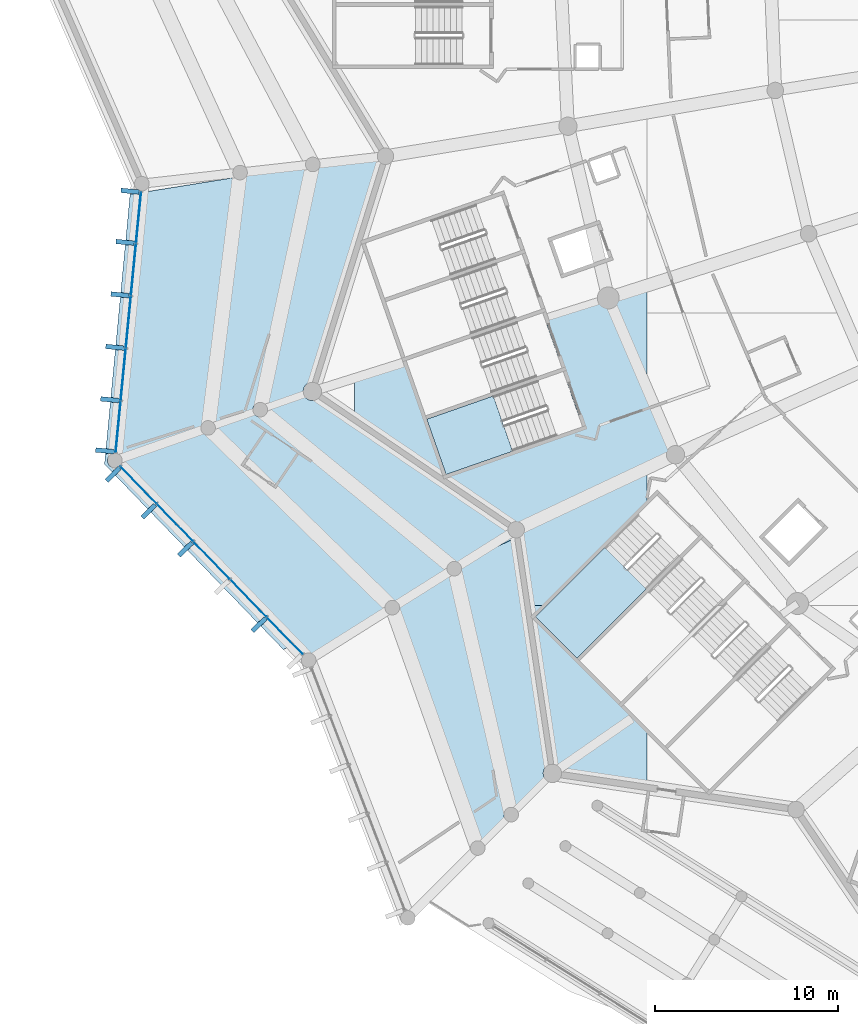
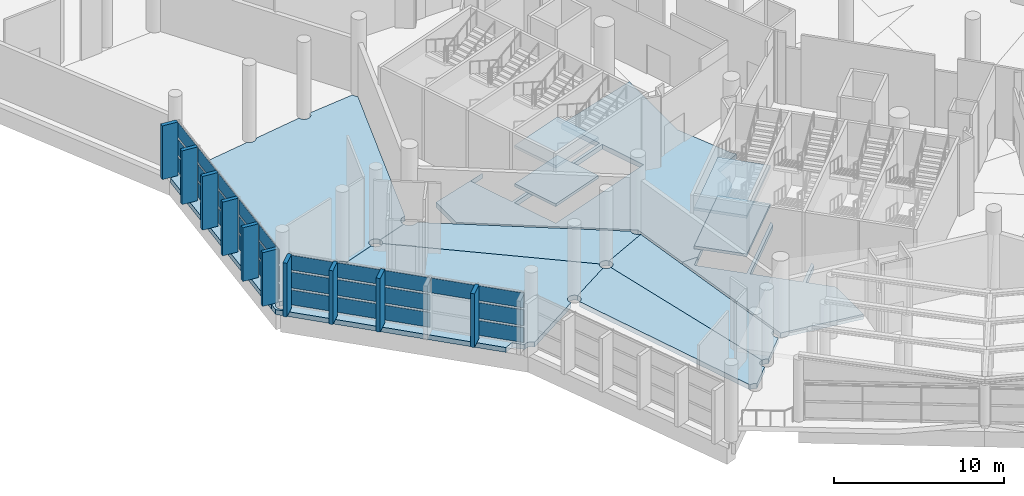
# One storey, part 115 of 271: 38 plates, 11 slabs, 4 elements without a shape of their own.
"""IFC4 building model written with IfcOpenShell, lengths in metres."""

from ifc_helpers import new_model, si_unit, direction, frame, origin, origin_2d, place, context, subcontext, project, spatial, polyline, rectangle, outline, extrude, material, layer, layer_set, type_object, element, aggregate, save


model = new_model("IFC4")

# Units and contexts
model_context = context("Model", 3, precision=1e-05, world=origin(), true_north=direction((0.0, 1.0)))
body_context = subcontext(model_context, "Body", "Model", "MODEL_VIEW")
ifc_project = project(units=[si_unit("LENGTHUNIT", "METRE"), si_unit("AREAUNIT", "SQUARE_METRE"), si_unit("VOLUMEUNIT", "CUBIC_METRE"), si_unit("PLANEANGLEUNIT", "RADIAN"), si_unit("MASSUNIT", "GRAM", prefix="KILO")], contexts=[model_context])

# Site, building, storey
site_placement = place(None, origin())
site = spatial("IfcSite", under=ifc_project, at=site_placement, CompositionType="ELEMENT")
building_placement = place(site_placement, origin())
building = spatial("IfcBuilding", under=site, at=building_placement, Name="Meseta Stadium", CompositionType="ELEMENT")
storey_placement = place(building_placement, frame((0.0, 0.0, 6.5)))
storey = spatial("IfcBuildingStorey", under=building, at=storey_placement, Name="L01", CompositionType="ELEMENT", Elevation=6.5)

# Slabs
ifc_material_1 = material(Name="Concrete C40/50", Category="concrete")
ifc_layer_1 = layer(ifc_material_1, 0.35009765625)
ifc_layer_set_1 = layer_set([ifc_layer_1], Name="Floor slab 350")
slab_type_1 = type_object("IfcSlabType", Name="Floor slab 350", PredefinedType="FLOOR", material=ifc_layer_set_1)
slab_1_placement = place(storey_placement, frame((0.0, 0.0, -0.35009765625)))
element("IfcSlab", 1, at=slab_1_placement, inside=storey, type_object=slab_type_1, Name="Floor slab L01 sector 35 panel 04", PredefinedType="FLOOR", context=body_context, shape_type="SweptSolid", body=[
    extrude(outline(polyline([(-80.0, -62.44580078125), (-85.63037109375, -64.211181640625), (-84.647705078125, -67.01953125), (-92.104248046875, -69.62890625), (-93.1611328125, -66.6083984375), (-92.1708984375, -66.26171875), (-96.0, -67.46240234375), (-96.0, -69.85205078125), (-87.15087890625, -75.856689453125), (-86.53564453125, -80.0), (-85.475341796875, -80.0), (-80.0, -74.524658203125), (-80.0, -72.84228515625), (-78.246337890625, -71.998779296875), (-78.4453125, -71.756103515625), (-80.0, -68.13232421875), (-80.0, -62.44580078125)]), holes=[polyline([(-92.0380859375, -69.8173828125), (-84.58154296875, -67.208251953125), (-83.524658203125, -70.228759765625), (-90.981201171875, -72.837890625), (-92.0380859375, -69.8173828125)])]), origin(), (0.0, 0.0, 1.0), 0.35009765625),
])
slab_2_placement = place(storey_placement, frame((0.0, 0.0, -0.35009765625)))
element("IfcSlab", 2, at=slab_2_placement, inside=storey, type_object=slab_type_1, Name="Floor slab L01 sector 35 panel 05", PredefinedType="FLOOR", context=body_context, shape_type="SweptSolid", body=[
    extrude(outline(polyline([(-83.688720703125, -83.02197265625), (-80.0, -79.3330078125), (-80.0, -79.05029296875), (-83.830078125, -82.880615234375), (-86.093017578125, -80.61767578125), (-85.475341796875, -80.0), (-86.53564453125, -80.0), (-85.173583984375, -89.173583984375), (-80.0, -89.94189453125), (-80.0, -86.710693359375), (-81.28466796875, -85.426025390625), (-80.0, -84.141357421875), (-80.0, -83.858642578125), (-81.426025390625, -85.28466796875), (-83.688720703125, -83.02197265625)])), origin(), (0.0, 0.0, 1.0), 0.35009765625),
])
slab_3_placement = place(storey_placement, frame((0.0, 0.0, -0.35009765625)))
element("IfcSlab", 3, at=slab_3_placement, inside=storey, type_object=slab_type_1, Name="Ring floor slab L01 5 part 2 panel 03", PredefinedType="FLOOR", context=body_context, shape_type="SweptSolid", body=[
    extrude(outline(polyline([(-94.74169921875, -55.491943359375), (-97.87158203125, -55.844482421875), (-97.86572265625, -55.889404296875), (-97.879638671875, -55.993896484375), (-97.919921875, -56.091064453125), (-97.98388671875, -56.174560546875), (-98.0673828125, -56.23876953125), (-98.164794921875, -56.279052734375), (-98.269287109375, -56.292724609375), (-98.373779296875, -56.279052734375), (-98.470947265625, -56.23876953125), (-98.554443359375, -56.174560546875), (-98.61865234375, -56.091064453125), (-98.658935546875, -55.993896484375), (-98.66064453125, -55.981201171875), (-101.87841796875, -56.49951171875), (-101.894775390625, -56.538818359375), (-101.958740234375, -56.62255859375), (-102.04248046875, -56.6865234375), (-102.1396484375, -56.726806640625), (-102.244140625, -56.740478515625), (-102.348388671875, -56.726806640625), (-102.44580078125, -56.6865234375), (-102.529296875, -56.62255859375), (-102.541748046875, -56.606201171875), (-108.255615234375, -57.526611328125), (-109.601318359375, -71.726806640625), (-109.03564453125, -71.54931640625), (-109.048095703125, -71.6767578125), (-108.982421875, -71.685302734375), (-108.88525390625, -71.7255859375), (-108.801513671875, -71.789794921875), (-108.737548828125, -71.873291015625), (-108.708740234375, -71.94287109375), (-104.3681640625, -70.423828125), (-104.379638671875, -70.39599609375), (-104.393310546875, -70.29150390625), (-104.379638671875, -70.18701171875), (-104.33935546875, -70.08984375), (-104.275146484375, -70.00634765625), (-104.191650390625, -69.942138671875), (-104.094482421875, -69.90185546875), (-103.989990234375, -69.88818359375), (-103.885498046875, -69.90185546875), (-103.7880859375, -69.942138671875), (-103.70458984375, -70.00634765625), (-103.640380859375, -70.08984375), (-103.61181640625, -70.1591796875), (-101.5185546875, -69.4267578125), (-101.5302734375, -69.39892578125), (-101.5439453125, -69.29443359375), (-101.5302734375, -69.190185546875), (-101.489990234375, -69.0927734375), (-101.42578125, -69.00927734375), (-101.34228515625, -68.945068359375), (-101.2451171875, -68.90478515625), (-101.140380859375, -68.89111328125), (-101.0361328125, -68.90478515625), (-100.938720703125, -68.945068359375), (-100.855224609375, -69.00927734375), (-100.791015625, -69.0927734375), (-100.762451171875, -69.162109375), (-98.763916015625, -68.462890625), (-98.7783203125, -68.427978515625), (-98.79541015625, -68.297607421875), (-98.7783203125, -68.1669921875), (-98.727783203125, -68.04541015625), (-98.647705078125, -67.94091796875), (-98.543212890625, -67.860595703125), (-98.421630859375, -67.810302734375), (-98.29150390625, -67.793212890625), (-94.563720703125, -55.802001953125), (-94.615478515625, -55.762451171875), (-94.6875, -55.66845703125), (-94.73291015625, -55.558837890625), (-94.74169921875, -55.491943359375)])), origin(), (0.0, 0.0, 1.0), 0.35009765625),
])
slab_4_placement = place(storey_placement, frame((0.0, 0.0, -0.35009765625)))
element("IfcSlab", 4, at=slab_4_placement, inside=storey, type_object=slab_type_1, Name="Ring floor slab L01 5 part 2 panel 04", PredefinedType="FLOOR", context=body_context, shape_type="SweptSolid", body=[
    extrude(outline(polyline([(-109.4765625, -71.970703125), (-109.436279296875, -71.873291015625), (-109.372314453125, -71.789794921875), (-109.28857421875, -71.7255859375), (-109.19140625, -71.685302734375), (-109.0869140625, -71.671630859375), (-109.048095703125, -71.6767578125), (-109.03564453125, -71.54931640625), (-109.601318359375, -71.726806640625), (-109.6533203125, -72.273193359375), (-99.877197265625, -82.401611328125), (-99.322998046875, -82.135009765625), (-98.77734375, -82.697021484375), (-98.698486328125, -82.63671875), (-98.601318359375, -82.59619140625), (-98.496826171875, -82.58251953125), (-98.392578125, -82.59619140625), (-98.295166015625, -82.63671875), (-98.211669921875, -82.70068359375), (-98.15673828125, -82.772216796875), (-94.264892578125, -80.32666015625), (-94.27392578125, -80.314697265625), (-94.314208984375, -80.21728515625), (-94.327880859375, -80.113037109375), (-94.314208984375, -80.008544921875), (-94.27392578125, -79.911376953125), (-94.2099609375, -79.82763671875), (-94.126220703125, -79.763671875), (-94.029052734375, -79.723388671875), (-93.924560546875, -79.709716796875), (-93.8203125, -79.723388671875), (-93.722900390625, -79.763671875), (-93.639404296875, -79.82763671875), (-93.58447265625, -79.8994140625), (-90.8779296875, -78.198486328125), (-90.88720703125, -78.1865234375), (-90.927490234375, -78.08935546875), (-90.941162109375, -77.98486328125), (-90.927490234375, -77.880615234375), (-90.88720703125, -77.783203125), (-90.84716796875, -77.731201171875), (-100.8310546875, -69.548095703125), (-100.855224609375, -69.579833984375), (-100.938720703125, -69.643798828125), (-101.0361328125, -69.68408203125), (-101.140380859375, -69.697998046875), (-101.2451171875, -69.68408203125), (-101.34228515625, -69.643798828125), (-101.42578125, -69.579833984375), (-101.489990234375, -69.49609375), (-101.5185546875, -69.4267578125), (-103.61181640625, -70.1591796875), (-103.60009765625, -70.18701171875), (-103.58642578125, -70.29150390625), (-103.60009765625, -70.39599609375), (-103.640380859375, -70.493408203125), (-103.70458984375, -70.576904296875), (-103.7880859375, -70.64111328125), (-103.885498046875, -70.681396484375), (-103.989990234375, -70.695068359375), (-104.094482421875, -70.681396484375), (-104.191650390625, -70.64111328125), (-104.275146484375, -70.576904296875), (-104.33935546875, -70.493408203125), (-104.3681640625, -70.423828125), (-108.708740234375, -71.94287109375), (-108.697265625, -71.970703125), (-108.68359375, -72.0751953125), (-108.697265625, -72.179443359375), (-108.737548828125, -72.27685546875), (-108.801513671875, -72.3603515625), (-108.88525390625, -72.424560546875), (-108.982421875, -72.46484375), (-109.0869140625, -72.478515625), (-109.19140625, -72.46484375), (-109.28857421875, -72.424560546875), (-109.372314453125, -72.3603515625), (-109.436279296875, -72.27685546875), (-109.4765625, -72.179443359375), (-109.490478515625, -72.0751953125), (-109.4765625, -71.970703125)])), origin(), (0.0, 0.0, 1.0), 0.35009765625),
])
slab_5_placement = place(storey_placement, frame((0.0, 0.0, -0.35009765625)))
element("IfcSlab", 5, at=slab_5_placement, inside=storey, type_object=slab_type_1, Name="Ring floor slab L01 5 part 2 panel 06", PredefinedType="FLOOR", context=body_context, shape_type="SweptSolid", body=[
    extrude(outline(polyline([(-98.421630859375, -68.78466796875), (-98.543212890625, -68.734130859375), (-98.647705078125, -68.654052734375), (-98.727783203125, -68.549560546875), (-98.763916015625, -68.462890625), (-100.762451171875, -69.162109375), (-100.750732421875, -69.190185546875), (-100.737060546875, -69.29443359375), (-100.750732421875, -69.39892578125), (-100.791015625, -69.49609375), (-100.8310546875, -69.548095703125), (-90.84716796875, -77.731201171875), (-90.822998046875, -77.69970703125), (-90.739501953125, -77.635498046875), (-90.64208984375, -77.59521484375), (-90.53759765625, -77.581298828125), (-90.433349609375, -77.59521484375), (-90.3359375, -77.635498046875), (-90.25244140625, -77.69970703125), (-90.21142578125, -77.753173828125), (-87.2333984375, -76.32080078125), (-87.23681640625, -76.29931640625), (-87.268310546875, -76.295166015625), (-87.377685546875, -76.249755859375), (-87.4716796875, -76.177734375), (-87.5439453125, -76.083740234375), (-87.589111328125, -75.97412109375), (-87.604736328125, -75.856689453125), (-87.58935546875, -75.740478515625), (-97.980712890625, -68.689453125), (-98.0390625, -68.734130859375), (-98.16064453125, -68.78466796875), (-98.291015625, -68.8017578125), (-98.421630859375, -68.78466796875)])), origin(), (0.0, 0.0, 1.0), 0.35009765625),
])
slab_6_placement = place(storey_placement, frame((0.0, 0.0, -0.35009765625)))
element("IfcSlab", 6, at=slab_6_placement, inside=storey, type_object=slab_type_1, Name="Ring floor slab L01 5 part 2 panel 07", PredefinedType="FLOOR", context=body_context, shape_type="SweptSolid", body=[
    extrude(outline(polyline([(-90.53759765625, -78.38818359375), (-90.64208984375, -78.37451171875), (-90.739501953125, -78.334228515625), (-90.822998046875, -78.270263671875), (-90.8779296875, -78.198486328125), (-93.58447265625, -79.8994140625), (-93.5751953125, -79.911376953125), (-93.534912109375, -80.008544921875), (-93.52099609375, -80.113037109375), (-93.534912109375, -80.21728515625), (-93.5751953125, -80.314697265625), (-93.639404296875, -80.398193359375), (-93.722900390625, -80.46240234375), (-93.79052734375, -80.490478515625), (-89.388916015625, -92.87744140625), (-89.359375, -92.864990234375), (-89.2548828125, -92.851318359375), (-89.150390625, -92.864990234375), (-89.052978515625, -92.905517578125), (-88.969482421875, -92.969482421875), (-87.711669921875, -91.711669921875), (-87.77587890625, -91.628173828125), (-87.816162109375, -91.53076171875), (-87.829833984375, -91.426513671875), (-87.816162109375, -91.322021484375), (-87.77587890625, -91.224609375), (-87.711669921875, -91.14111328125), (-87.628173828125, -91.076904296875), (-87.53076171875, -91.03662109375), (-87.51708984375, -91.034912109375), (-90.447021484375, -78.37646484375), (-90.53759765625, -78.38818359375)])), origin(), (0.0, 0.0, 1.0), 0.35009765625),
])
slab_7_placement = place(storey_placement, frame((0.0, 0.0, -0.35009765625)))
element("IfcSlab", 7, at=slab_7_placement, inside=storey, type_object=slab_type_1, Name="Ring floor slab L01 5 part 2 panel 08", PredefinedType="FLOOR", context=body_context, shape_type="SweptSolid", body=[
    extrude(outline(polyline([(-87.2333984375, -76.32080078125), (-90.21142578125, -77.753173828125), (-90.188232421875, -77.783203125), (-90.14794921875, -77.880615234375), (-90.13427734375, -77.98486328125), (-90.14794921875, -78.08935546875), (-90.188232421875, -78.1865234375), (-90.25244140625, -78.270263671875), (-90.3359375, -78.334228515625), (-90.433349609375, -78.37451171875), (-90.447021484375, -78.37646484375), (-87.51708984375, -91.034912109375), (-87.426513671875, -91.02294921875), (-87.322021484375, -91.03662109375), (-87.224609375, -91.076904296875), (-87.14111328125, -91.14111328125), (-85.5302734375, -89.5302734375), (-85.610595703125, -89.42578125), (-85.660888671875, -89.30419921875), (-85.677978515625, -89.173583984375), (-85.660888671875, -89.043212890625), (-85.610595703125, -88.921630859375), (-85.5302734375, -88.817138671875), (-85.42578125, -88.737060546875), (-85.392333984375, -88.722900390625), (-87.2333984375, -76.32080078125)])), origin(), (0.0, 0.0, 1.0), 0.35009765625),
])

# Curtain wall, plates
ifc_material_2 = material(Name="Aluminium", Category="aluminium")
ifc_layer_2 = layer(ifc_material_2, 0.199951171875)
ifc_layer_set_2 = layer_set([ifc_layer_2], Name="Ring shopfront curtain wall")
curtain_wall_type = type_object("IfcCurtainWallType", Name="Ring shopfront curtain wall", PredefinedType="NOTDEFINED", material=ifc_layer_set_2)
curtain_wall_1_placement = place(storey_placement, origin())
curtain_wall_1 = element("IfcCurtainWall", 8, at=curtain_wall_1_placement, inside=storey, type_object=curtain_wall_type, Name="Ring glazing L01 F37", PredefinedType="NOTDEFINED")
ifc_material_3 = material(Name="Glass", Category="glass")
ifc_layer_3 = layer(ifc_material_3, 0.035888671875)
ifc_layer_set_3 = layer_set([ifc_layer_3], Name="Ring CW glass panel 36")
plate_type_1 = type_object("IfcPlateType", Name="Ring CW glass panel 36", PredefinedType="CURTAIN_PANEL", material=ifc_layer_set_3)
plate_1_placement = place(storey_placement, frame((-107.790283203125, -58.78857421875, 0.14990234375), z_axis=(0.0, 0.0, 1.0), x_axis=(-0.097124618973, -0.995272228282, 0.0)))
plate_1 = element("IfcPlate", 9, at=plate_1_placement, type_object=plate_type_1, Name="CWR1 panel 1.1", PredefinedType="CURTAIN_PANEL", context=body_context, shape_type="SweptSolid", body=[
    extrude(rectangle(XDim=2.791015625, YDim=0.035888671875, at=origin_2d()), origin(), (0.0, 0.0, 1.0), 1.058349609375),
])
plate_2_placement = place(storey_placement, frame((-107.790283203125, -58.78857421875, 1.3583984375), z_axis=(0.0, 0.0, 1.0), x_axis=(-0.097124618973, -0.995272228282, 0.0)))
plate_2 = element("IfcPlate", 10, at=plate_2_placement, type_object=plate_type_1, Name="CWR1 panel 1.2", PredefinedType="CURTAIN_PANEL", context=body_context, shape_type="SweptSolid", body=[
    extrude(rectangle(XDim=2.791015625, YDim=0.035888671875, at=origin_2d()), origin(), (0.0, 0.0, 1.0), 1.13330078125),
])
plate_3_placement = place(storey_placement, frame((-107.790283203125, -58.78857421875, 2.6416015625), z_axis=(0.0, 0.0, 1.0), x_axis=(-0.097124618973, -0.995272228282, 0.0)))
plate_3 = element("IfcPlate", 11, at=plate_3_placement, type_object=plate_type_1, Name="CWR1 panel 1.3", PredefinedType="CURTAIN_PANEL", context=body_context, shape_type="SweptSolid", body=[
    extrude(rectangle(XDim=2.791015625, YDim=0.035888671875, at=origin_2d()), origin(), (0.0, 0.0, 1.0), 1.058349609375),
])
plate_4_placement = place(storey_placement, frame((-108.06884765625, -61.64111328125, 0.14990234375), z_axis=(0.0, 0.0, 1.0), x_axis=(-0.097124618973, -0.995272228282, 0.0)))
plate_4 = element("IfcPlate", 12, at=plate_4_placement, type_object=plate_type_1, Name="CWR1 panel 2.1", PredefinedType="CURTAIN_PANEL", context=body_context, shape_type="SweptSolid", body=[
    extrude(rectangle(XDim=2.821044921875, YDim=0.035888671875, at=origin_2d()), origin(), (0.0, 0.0, 1.0), 1.058349609375),
])
plate_5_placement = place(storey_placement, frame((-108.06884765625, -61.64111328125, 1.3583984375), z_axis=(0.0, 0.0, 1.0), x_axis=(-0.097124618973, -0.995272228282, 0.0)))
plate_5 = element("IfcPlate", 13, at=plate_5_placement, type_object=plate_type_1, Name="CWR1 panel 2.2", PredefinedType="CURTAIN_PANEL", context=body_context, shape_type="SweptSolid", body=[
    extrude(rectangle(XDim=2.821044921875, YDim=0.035888671875, at=origin_2d()), origin(), (0.0, 0.0, 1.0), 1.13330078125),
])
plate_6_placement = place(storey_placement, frame((-108.06884765625, -61.64111328125, 2.6416015625), z_axis=(0.0, 0.0, 1.0), x_axis=(-0.097124618973, -0.995272228282, 0.0)))
plate_6 = element("IfcPlate", 14, at=plate_6_placement, type_object=plate_type_1, Name="CWR1 panel 2.3", PredefinedType="CURTAIN_PANEL", context=body_context, shape_type="SweptSolid", body=[
    extrude(rectangle(XDim=2.821044921875, YDim=0.035888671875, at=origin_2d()), origin(), (0.0, 0.0, 1.0), 1.058349609375),
])
plate_7_placement = place(storey_placement, frame((-108.3486328125, -64.508544921875, 0.14990234375), z_axis=(0.0, 0.0, 1.0), x_axis=(-0.097124618973, -0.995272228282, 0.0)))
plate_7 = element("IfcPlate", 15, at=plate_7_placement, type_object=plate_type_1, Name="CWR1 panel 3.1", PredefinedType="CURTAIN_PANEL", context=body_context, shape_type="SweptSolid", body=[
    extrude(rectangle(XDim=2.821044921875, YDim=0.035888671875, at=origin_2d()), origin(), (0.0, 0.0, 1.0), 1.058349609375),
])
plate_8_placement = place(storey_placement, frame((-108.3486328125, -64.508544921875, 1.3583984375), z_axis=(0.0, 0.0, 1.0), x_axis=(-0.097124618973, -0.995272228282, 0.0)))
plate_8 = element("IfcPlate", 16, at=plate_8_placement, type_object=plate_type_1, Name="CWR1 panel 3.2", PredefinedType="CURTAIN_PANEL", context=body_context, shape_type="SweptSolid", body=[
    extrude(rectangle(XDim=2.821044921875, YDim=0.035888671875, at=origin_2d()), origin(), (0.0, 0.0, 1.0), 1.13330078125),
])
plate_9_placement = place(storey_placement, frame((-108.3486328125, -64.508544921875, 2.6416015625), z_axis=(0.0, 0.0, 1.0), x_axis=(-0.097124618973, -0.995272228282, 0.0)))
plate_9 = element("IfcPlate", 17, at=plate_9_placement, type_object=plate_type_1, Name="CWR1 panel 3.3", PredefinedType="CURTAIN_PANEL", context=body_context, shape_type="SweptSolid", body=[
    extrude(rectangle(XDim=2.821044921875, YDim=0.035888671875, at=origin_2d()), origin(), (0.0, 0.0, 1.0), 1.058349609375),
])
plate_10_placement = place(storey_placement, frame((-108.62841796875, -67.3759765625, 0.14990234375), z_axis=(0.0, 0.0, 1.0), x_axis=(-0.097124618973, -0.995272228282, 0.0)))
plate_10 = element("IfcPlate", 18, at=plate_10_placement, type_object=plate_type_1, Name="CWR1 panel 4.1", PredefinedType="CURTAIN_PANEL", context=body_context, shape_type="SweptSolid", body=[
    extrude(rectangle(XDim=2.821044921875, YDim=0.035888671875, at=origin_2d()), origin(), (0.0, 0.0, 1.0), 1.058349609375),
])
plate_11_placement = place(storey_placement, frame((-108.62841796875, -67.3759765625, 1.3583984375), z_axis=(0.0, 0.0, 1.0), x_axis=(-0.097124618973, -0.995272228282, 0.0)))
plate_11 = element("IfcPlate", 19, at=plate_11_placement, type_object=plate_type_1, Name="CWR1 panel 4.2", PredefinedType="CURTAIN_PANEL", context=body_context, shape_type="SweptSolid", body=[
    extrude(rectangle(XDim=2.821044921875, YDim=0.035888671875, at=origin_2d()), origin(), (0.0, 0.0, 1.0), 1.13330078125),
])
plate_12_placement = place(storey_placement, frame((-108.62841796875, -67.3759765625, 2.6416015625), z_axis=(0.0, 0.0, 1.0), x_axis=(-0.097124618973, -0.995272228282, 0.0)))
plate_12 = element("IfcPlate", 20, at=plate_12_placement, type_object=plate_type_1, Name="CWR1 panel 4.3", PredefinedType="CURTAIN_PANEL", context=body_context, shape_type="SweptSolid", body=[
    extrude(rectangle(XDim=2.821044921875, YDim=0.035888671875, at=origin_2d()), origin(), (0.0, 0.0, 1.0), 1.058349609375),
])
plate_13_placement = place(storey_placement, frame((-108.90673828125, -70.228271484375, 0.14990234375), z_axis=(0.0, 0.0, 1.0), x_axis=(-0.097124618973, -0.995272228282, 0.0)))
plate_13 = element("IfcPlate", 21, at=plate_13_placement, type_object=plate_type_1, Name="CWR1 panel 5.1", PredefinedType="CURTAIN_PANEL", context=body_context, shape_type="SweptSolid", body=[
    extrude(rectangle(XDim=2.791015625, YDim=0.035888671875, at=origin_2d()), origin(), (0.0, 0.0, 1.0), 1.058349609375),
])
plate_14_placement = place(storey_placement, frame((-108.90673828125, -70.228271484375, 1.3583984375), z_axis=(0.0, 0.0, 1.0), x_axis=(-0.097124618973, -0.995272228282, 0.0)))
plate_14 = element("IfcPlate", 22, at=plate_14_placement, type_object=plate_type_1, Name="CWR1 panel 5.2", PredefinedType="CURTAIN_PANEL", context=body_context, shape_type="SweptSolid", body=[
    extrude(rectangle(XDim=2.791015625, YDim=0.035888671875, at=origin_2d()), origin(), (0.0, 0.0, 1.0), 1.13330078125),
])
plate_15_placement = place(storey_placement, frame((-108.90673828125, -70.228271484375, 2.6416015625), z_axis=(0.0, 0.0, 1.0), x_axis=(-0.097124618973, -0.995272228282, 0.0)))
plate_15 = element("IfcPlate", 23, at=plate_15_placement, type_object=plate_type_1, Name="CWR1 panel 5.3", PredefinedType="CURTAIN_PANEL", context=body_context, shape_type="SweptSolid", body=[
    extrude(rectangle(XDim=2.791015625, YDim=0.035888671875, at=origin_2d()), origin(), (0.0, 0.0, 1.0), 1.058349609375),
])
aggregate(curtain_wall_1, [plate_1, plate_2, plate_3, plate_4, plate_5, plate_6, plate_7, plate_8, plate_9, plate_10, plate_11, plate_12, plate_13, plate_14, plate_15])

curtain_wall_2_placement = place(storey_placement, origin())
curtain_wall_2 = element("IfcCurtainWall", 24, at=curtain_wall_2_placement, inside=storey, type_object=curtain_wall_type, Name="Ring glazing L01 F38", PredefinedType="NOTDEFINED")
plate_16_placement = place(storey_placement, frame((-107.794677734375, -73.406494140625, 0.14990234375), z_axis=(0.0, 0.0, 1.0), x_axis=(0.6964727488, -0.717583242683, 0.0)))
plate_16 = element("IfcPlate", 25, at=plate_16_placement, type_object=plate_type_1, Name="CWR1 panel 1.1", PredefinedType="CURTAIN_PANEL", context=body_context, shape_type="SweptSolid", body=[
    extrude(rectangle(XDim=2.791015625, YDim=0.035888671875, at=origin_2d()), origin(), (0.0, 0.0, 1.0), 1.058349609375),
])
plate_17_placement = place(storey_placement, frame((-107.794677734375, -73.406494140625, 1.3583984375), z_axis=(0.0, 0.0, 1.0), x_axis=(0.6964727488, -0.717583242683, 0.0)))
plate_17 = element("IfcPlate", 26, at=plate_17_placement, type_object=plate_type_1, Name="CWR1 panel 1.2", PredefinedType="CURTAIN_PANEL", context=body_context, shape_type="SweptSolid", body=[
    extrude(rectangle(XDim=2.791015625, YDim=0.035888671875, at=origin_2d()), origin(), (0.0, 0.0, 1.0), 1.13330078125),
])
plate_18_placement = place(storey_placement, frame((-107.794677734375, -73.406494140625, 2.6416015625), z_axis=(0.0, 0.0, 1.0), x_axis=(0.6964727488, -0.717583242683, 0.0)))
plate_18 = element("IfcPlate", 27, at=plate_18_placement, type_object=plate_type_1, Name="CWR1 panel 1.3", PredefinedType="CURTAIN_PANEL", context=body_context, shape_type="SweptSolid", body=[
    extrude(rectangle(XDim=2.791015625, YDim=0.035888671875, at=origin_2d()), origin(), (0.0, 0.0, 1.0), 1.058349609375),
])
plate_19_placement = place(storey_placement, frame((-105.79833984375, -75.463134765625, 0.14990234375), z_axis=(0.0, 0.0, 1.0), x_axis=(0.6964727488, -0.717583242683, 0.0)))
plate_19 = element("IfcPlate", 28, at=plate_19_placement, type_object=plate_type_1, Name="CWR1 panel 2.1", PredefinedType="CURTAIN_PANEL", context=body_context, shape_type="SweptSolid", body=[
    extrude(rectangle(XDim=2.821044921875, YDim=0.035888671875, at=origin_2d()), origin(), (0.0, 0.0, 1.0), 1.058349609375),
])
plate_20_placement = place(storey_placement, frame((-105.79833984375, -75.463134765625, 1.3583984375), z_axis=(0.0, 0.0, 1.0), x_axis=(0.6964727488, -0.717583242683, 0.0)))
plate_20 = element("IfcPlate", 29, at=plate_20_placement, type_object=plate_type_1, Name="CWR1 panel 2.2", PredefinedType="CURTAIN_PANEL", context=body_context, shape_type="SweptSolid", body=[
    extrude(rectangle(XDim=2.821044921875, YDim=0.035888671875, at=origin_2d()), origin(), (0.0, 0.0, 1.0), 1.13330078125),
])
plate_21_placement = place(storey_placement, frame((-105.79833984375, -75.463134765625, 2.6416015625), z_axis=(0.0, 0.0, 1.0), x_axis=(0.6964727488, -0.717583242683, 0.0)))
plate_21 = element("IfcPlate", 30, at=plate_21_placement, type_object=plate_type_1, Name="CWR1 panel 2.3", PredefinedType="CURTAIN_PANEL", context=body_context, shape_type="SweptSolid", body=[
    extrude(rectangle(XDim=2.821044921875, YDim=0.035888671875, at=origin_2d()), origin(), (0.0, 0.0, 1.0), 1.058349609375),
])
plate_22_placement = place(storey_placement, frame((-103.7919921875, -77.530517578125, 0.14990234375), z_axis=(0.0, 0.0, 1.0), x_axis=(0.6964727488, -0.717583242683, 0.0)))
plate_22 = element("IfcPlate", 31, at=plate_22_placement, type_object=plate_type_1, Name="CWR1 panel 3.1", PredefinedType="CURTAIN_PANEL", context=body_context, shape_type="SweptSolid", body=[
    extrude(rectangle(XDim=2.821044921875, YDim=0.035888671875, at=origin_2d()), origin(), (0.0, 0.0, 1.0), 1.058349609375),
])
plate_23_placement = place(storey_placement, frame((-103.7919921875, -77.530517578125, 1.3583984375), z_axis=(0.0, 0.0, 1.0), x_axis=(0.6964727488, -0.717583242683, 0.0)))
plate_23 = element("IfcPlate", 32, at=plate_23_placement, type_object=plate_type_1, Name="CWR1 panel 3.2", PredefinedType="CURTAIN_PANEL", context=body_context, shape_type="SweptSolid", body=[
    extrude(rectangle(XDim=2.821044921875, YDim=0.035888671875, at=origin_2d()), origin(), (0.0, 0.0, 1.0), 1.13330078125),
])
plate_24_placement = place(storey_placement, frame((-103.7919921875, -77.530517578125, 2.6416015625), z_axis=(0.0, 0.0, 1.0), x_axis=(0.6964727488, -0.717583242683, 0.0)))
plate_24 = element("IfcPlate", 33, at=plate_24_placement, type_object=plate_type_1, Name="CWR1 panel 3.3", PredefinedType="CURTAIN_PANEL", context=body_context, shape_type="SweptSolid", body=[
    extrude(rectangle(XDim=2.821044921875, YDim=0.035888671875, at=origin_2d()), origin(), (0.0, 0.0, 1.0), 1.058349609375),
])
plate_25_placement = place(storey_placement, frame((-101.785400390625, -79.597900390625, 2.6416015625), z_axis=(0.0, 0.0, 1.0), x_axis=(0.6964727488, -0.717583242683, 0.0)))
plate_25 = element("IfcPlate", 34, at=plate_25_placement, type_object=plate_type_1, Name="CWR1 panel 4.3", PredefinedType="CURTAIN_PANEL", context=body_context, shape_type="SweptSolid", body=[
    extrude(rectangle(XDim=2.821044921875, YDim=0.035888671875, at=origin_2d()), origin(), (0.0, 0.0, 1.0), 1.058349609375),
])
plate_26_placement = place(storey_placement, frame((-99.789306640625, -81.654541015625, 0.14990234375), z_axis=(0.0, 0.0, 1.0), x_axis=(0.6964727488, -0.717583242683, 0.0)))
plate_26 = element("IfcPlate", 35, at=plate_26_placement, type_object=plate_type_1, Name="CWR1 panel 5.1", PredefinedType="CURTAIN_PANEL", context=body_context, shape_type="SweptSolid", body=[
    extrude(rectangle(XDim=2.791015625, YDim=0.035888671875, at=origin_2d()), origin(), (0.0, 0.0, 1.0), 1.058349609375),
])
plate_27_placement = place(storey_placement, frame((-99.789306640625, -81.654541015625, 1.3583984375), z_axis=(0.0, 0.0, 1.0), x_axis=(0.6964727488, -0.717583242683, 0.0)))
plate_27 = element("IfcPlate", 36, at=plate_27_placement, type_object=plate_type_1, Name="CWR1 panel 5.2", PredefinedType="CURTAIN_PANEL", context=body_context, shape_type="SweptSolid", body=[
    extrude(rectangle(XDim=2.791015625, YDim=0.035888671875, at=origin_2d()), origin(), (0.0, 0.0, 1.0), 1.13330078125),
])
plate_28_placement = place(storey_placement, frame((-99.789306640625, -81.654541015625, 2.6416015625), z_axis=(0.0, 0.0, 1.0), x_axis=(0.6964727488, -0.717583242683, 0.0)))
plate_28 = element("IfcPlate", 37, at=plate_28_placement, type_object=plate_type_1, Name="CWR1 panel 5.3", PredefinedType="CURTAIN_PANEL", context=body_context, shape_type="SweptSolid", body=[
    extrude(rectangle(XDim=2.791015625, YDim=0.035888671875, at=origin_2d()), origin(), (0.0, 0.0, 1.0), 1.058349609375),
])
aggregate(curtain_wall_2, [plate_16, plate_17, plate_18, plate_19, plate_20, plate_21, plate_22, plate_23, plate_24, plate_25, plate_26, plate_27, plate_28])

# Plates
ifc_material_4 = material(Name="Precast concrete C40/50", Category="concrete")
ifc_layer_4 = layer(ifc_material_4, 0.25)
ifc_layer_set_4 = layer_set([ifc_layer_4], Name="Ring brise-soleil fin 250x1000")
plate_type_2 = type_object("IfcPlateType", Name="Ring brise-soleil fin 250x1000", PredefinedType="USERDEFINED", material=ifc_layer_set_4)
for number, where, z_axis, x_axis, name in (
    (38, (-108.25341796875, -57.356201171875, 0.0), (0.0, 0.0, 1.0), (-0.097122584472, -0.995272426819, 0.0), "Brise-soleil fin L01 F37.1"),
    (39, (-108.52587890625, -60.14892578125, 0.0), (0.0, 0.0, 1.0), (-0.097122584472, -0.995272426819, 0.0), "Brise-soleil fin L01 F37.2"),
    (40, (-108.805908203125, -63.0166015625, 0.0), (0.0, 0.0, 1.0), (-0.097122584472, -0.995272426819, 0.0), "Brise-soleil fin L01 F37.3"),
    (41, (-109.085693359375, -65.8837890625, 0.0), (0.0, 0.0, 1.0), (-0.097122584472, -0.995272426819, 0.0), "Brise-soleil fin L01 F37.4"),
    (42, (-109.365478515625, -68.751220703125, 0.0), (0.0, 0.0, 1.0), (-0.097122584472, -0.995272426819, 0.0), "Brise-soleil fin L01 F37.5"),
    (43, (-109.637939453125, -71.5439453125, 0.0), (0.0, 0.0, 1.0), (-0.097122584472, -0.995272426819, 0.0), "Brise-soleil fin L01 F37.6"),
    (44, (-109.1865234375, -72.833740234375, 0.0), (0.0, 0.0, 1.0), (0.696475344559, -0.717580723279, 0.0), "Brise-soleil fin L01 F38.1"),
    (45, (-107.232421875, -74.847412109375, 0.0), (0.0, 0.0, 1.0), (0.696475344559, -0.717580723279, 0.0), "Brise-soleil fin L01 F38.2"),
    (46, (-105.2255859375, -76.914794921875, 0.0), (0.0, 0.0, 1.0), (0.696475344559, -0.717580723279, 0.0), "Brise-soleil fin L01 F38.3"),
    (47, (-101.212646484375, -81.049560546875, 0.0), (0.0, 0.0, 1.0), (0.696475344559, -0.717580723279, 0.0), "Brise-soleil fin L01 F38.5"),
):
    element("IfcPlate", number, at=place(storey_placement, frame(where, z_axis=z_axis, x_axis=x_axis)), inside=storey, type_object=plate_type_2, Name=name, ObjectType="FIN", PredefinedType="USERDEFINED", context=body_context, shape_type="SweptSolid", body=[
        extrude(rectangle(XDim=0.25, YDim=1.0, at=origin_2d()), origin(), (0.0, 0.0, 1.0), 3.85009765625),
    ])

# Stair, slabs
ifc_material_5 = material(Name="Concrete C40/50", Category="concrete")
stair_type = type_object("IfcStairType", Name="Exit stair 4 flights 153 mm risers", PredefinedType="HALF_TURN_STAIR", material=ifc_material_5)
stair_1_placement = place(storey_placement, origin())
stair_1 = element("IfcStair", 48, at=stair_1_placement, inside=storey, type_object=stair_type, Name="ST80 L01", PredefinedType="HALF_TURN_STAIR")
ifc_material_6 = material(Name="Concrete C40/50", Category="concrete")
ifc_layer_5 = layer(ifc_material_6, 0.199951171875)
ifc_layer_set_5 = layer_set([ifc_layer_5], Name="Stair landing 200")
slab_type_2 = type_object("IfcSlabType", Name="Stair landing 200", PredefinedType="LANDING", material=ifc_layer_set_5)
slab_8_placement = place(storey_placement, frame((0.0, 0.0, 1.175048828125)))
slab_8 = element("IfcSlab", 49, at=slab_8_placement, type_object=slab_type_2, Name="ST80 L01 landing 1", PredefinedType="LANDING", context=body_context, shape_type="SweptSolid", body=[
    extrude(outline(polyline([(-88.404296875, -68.5458984375), (-92.0380859375, -69.817626953125), (-90.981201171875, -72.837890625), (-87.347412109375, -71.56640625), (-88.404296875, -68.5458984375)])), origin(), (0.0, 0.0, 1.0), 0.199951171875),
])
slab_9_placement = place(storey_placement, frame((0.0, 0.0, 3.925048828125)))
slab_9 = element("IfcSlab", 50, at=slab_9_placement, type_object=slab_type_2, Name="ST80 L01 landing 3", PredefinedType="LANDING", context=body_context, shape_type="SweptSolid", body=[
    extrude(outline(polyline([(-88.404296875, -68.5458984375), (-92.0380859375, -69.817626953125), (-90.981201171875, -72.837890625), (-87.347412109375, -71.56640625), (-88.404296875, -68.5458984375)])), origin(), (0.0, 0.0, 1.0), 0.199951171875),
])
aggregate(stair_1, [slab_8, slab_9])

stair_2_placement = place(storey_placement, origin())
stair_2 = element("IfcStair", 51, at=stair_2_placement, inside=storey, type_object=stair_type, Name="ST81 L01", PredefinedType="HALF_TURN_STAIR")
slab_10_placement = place(storey_placement, frame((0.0, 0.0, 1.175048828125)))
slab_10 = element("IfcSlab", 52, at=slab_10_placement, type_object=slab_type_2, Name="ST81 L01 landing 1", PredefinedType="LANDING", context=body_context, shape_type="SweptSolid", body=[
    extrude(outline(polyline([(-82.309814453125, -76.834716796875), (-86.093017578125, -80.61767578125), (-83.830322265625, -82.88037109375), (-80.047119140625, -79.097412109375), (-82.309814453125, -76.834716796875)])), origin(), (0.0, 0.0, 1.0), 0.199951171875),
])
slab_11_placement = place(storey_placement, frame((0.0, 0.0, 3.925048828125)))
slab_11 = element("IfcSlab", 53, at=slab_11_placement, type_object=slab_type_2, Name="ST81 L01 landing 3", PredefinedType="LANDING", context=body_context, shape_type="SweptSolid", body=[
    extrude(outline(polyline([(-82.309814453125, -76.834716796875), (-86.093017578125, -80.61767578125), (-83.830322265625, -82.88037109375), (-80.047119140625, -79.097412109375), (-82.309814453125, -76.834716796875)])), origin(), (0.0, 0.0, 1.0), 0.199951171875),
])
aggregate(stair_2, [slab_10, slab_11])

save(model, "model.ifc")
